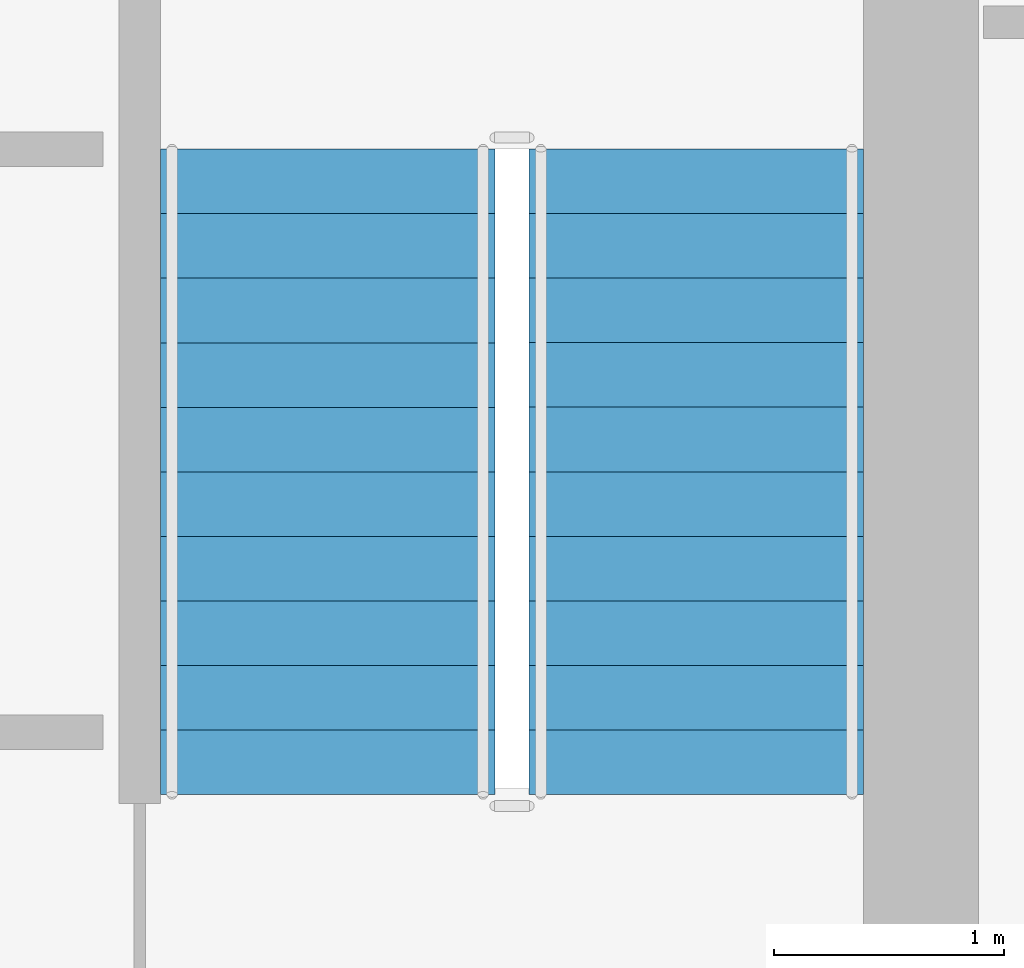
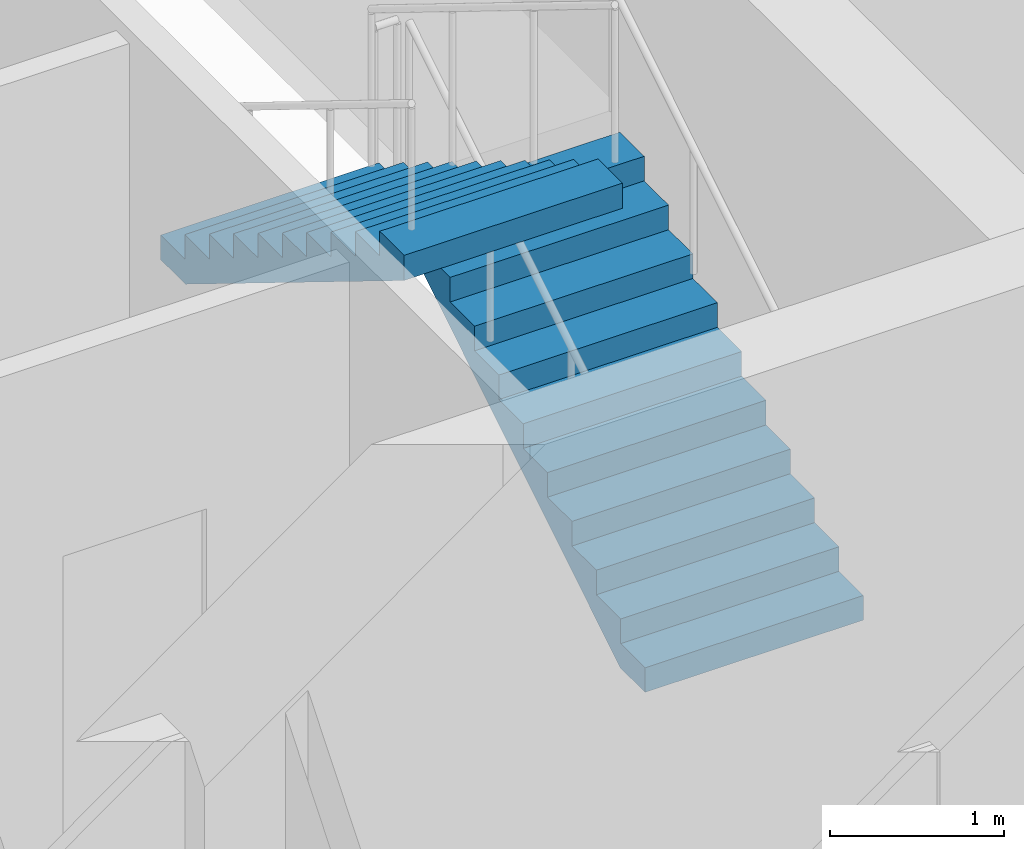
# One storey, part 34 of 37: 2 stair flights, 1 element without a shape of its own.
"""IFC4 building model written with IfcOpenShell, lengths in metres."""

from ifc_helpers import new_model, si_unit, direction, frame, origin, place, context, subcontext, project, spatial, polyline, outline, extrude, material, type_object, element, aggregate, save


model = new_model("IFC4")

# Units and contexts
model_context = context("Model", 3, precision=1e-05, world=origin(), true_north=direction((0.0, 1.0)))
body_context = subcontext(model_context, "Body", "Model", "MODEL_VIEW")
ifc_project = project(units=[si_unit("LENGTHUNIT", "METRE"), si_unit("AREAUNIT", "SQUARE_METRE"), si_unit("VOLUMEUNIT", "CUBIC_METRE"), si_unit("PLANEANGLEUNIT", "RADIAN"), si_unit("MASSUNIT", "GRAM", prefix="KILO")], contexts=[model_context])

# Site, building, storey
site_placement = place(None, origin())
site = spatial("IfcSite", under=ifc_project, at=site_placement, CompositionType="ELEMENT")
building_placement = place(site_placement, origin())
building = spatial("IfcBuilding", under=site, at=building_placement, Name="Saevonmaru Cultural Tower", CompositionType="ELEMENT")
storey_placement = place(building_placement, frame((0.0, 0.0, 144.800048828125)))
storey = spatial("IfcBuildingStorey", under=building, at=storey_placement, Name="L31", CompositionType="ELEMENT", Elevation=144.800048828125)

# Stair, stair flights
ifc_material_1 = material(Name="Concrete C40/50", Category="concrete")
stair_type = type_object("IfcStairType", Name="STR-DOGLEG-RC", PredefinedType="HALF_TURN_STAIR", material=ifc_material_1)
stair_placement = place(storey_placement, origin())
stair = element("IfcStair", 1, at=stair_placement, inside=storey, type_object=stair_type, Name="L31 Protected exit stair ST-2", PredefinedType="HALF_TURN_STAIR")
ifc_material_2 = material(Name="Precast concrete C40/50", Category="concrete")
stair_flight_type = type_object("IfcStairFlightType", Name="STF-PRECAST-180", PredefinedType="STRAIGHT", material=ifc_material_2)
stair_flight_1_placement = place(storey_placement, frame((45.074951171875, 44.85009765625, 0.0), z_axis=(0.0, 0.0, 1.0), x_axis=(0.0, 1.0, 0.0)))
stair_flight_1 = element("IfcStairFlight", 2, at=stair_flight_1_placement, type_object=stair_flight_type, Name="ST-2-L31 flight 1", NumberOfRisers=11, NumberOfTreads=10, PredefinedType="STRAIGHT", RiserHeight=0.172727273, TreadLength=0.28, context=body_context, shape_type="SweptSolid", body=[
    extrude(outline(polyline([(0.0, 0.0), (0.0, 0.172607421875), (0.280029296875, 0.172607421875), (0.280029296875, 0.345458984375), (0.56005859375, 0.345458984375), (0.56005859375, 0.51806640625), (0.840087890625, 0.51806640625), (0.840087890625, 0.69091796875), (1.1201171875, 0.69091796875), (1.1201171875, 0.863525390625), (1.39990234375, 0.863525390625), (1.39990234375, 1.036376953125), (1.679931640625, 1.036376953125), (1.679931640625, 1.208984375), (1.9599609375, 1.208984375), (1.9599609375, 1.3818359375), (2.239990234375, 1.3818359375), (2.239990234375, 1.554443359375), (2.52001953125, 1.554443359375), (2.52001953125, 1.727294921875), (2.800048828125, 1.727294921875), (2.800048828125, 1.89990234375), (2.800048828125, 1.551025390625), (0.285400390625, 0.0), (0.0, 0.0)])), frame((0.0, 0.72509765625, 0.0), z_axis=(0.0, -1.0, 0.0), x_axis=(1.0, 0.0, 0.0)), (0.0, 0.0, 1.0), 1.449951171875),
])
stair_flight_2_placement = place(storey_placement, frame((43.47509765625, 47.64990234375, 1.89990234375), z_axis=(0.0, 0.0, 1.0), x_axis=(0.0, -1.0, 0.0)))
stair_flight_2 = element("IfcStairFlight", 3, at=stair_flight_2_placement, type_object=stair_flight_type, Name="ST-2-L31 flight 2", NumberOfRisers=11, NumberOfTreads=10, PredefinedType="STRAIGHT", RiserHeight=0.172727273, TreadLength=0.28, context=body_context, shape_type="SweptSolid", body=[
    extrude(outline(polyline([(0.0, 0.0), (0.0, 0.172607421875), (0.280029296875, 0.172607421875), (0.280029296875, 0.345458984375), (0.56005859375, 0.345458984375), (0.56005859375, 0.51806640625), (0.840087890625, 0.51806640625), (0.840087890625, 0.69091796875), (1.1201171875, 0.69091796875), (1.1201171875, 0.863525390625), (1.39990234375, 0.863525390625), (1.39990234375, 1.036376953125), (1.679931640625, 1.036376953125), (1.679931640625, 1.208984375), (1.9599609375, 1.208984375), (1.9599609375, 1.3818359375), (2.239990234375, 1.3818359375), (2.239990234375, 1.554443359375), (2.52001953125, 1.554443359375), (2.52001953125, 1.727294921875), (2.800048828125, 1.727294921875), (2.800048828125, 1.89990234375), (2.800048828125, 1.551025390625), (0.285400390625, 0.0), (0.0, 0.0)])), frame((0.0, 0.72509765625, 0.0), z_axis=(0.0, -1.0, 0.0), x_axis=(1.0, 0.0, 0.0)), (0.0, 0.0, 1.0), 1.449951171875),
])
aggregate(stair, [stair_flight_1, stair_flight_2])

save(model, "model.ifc")
